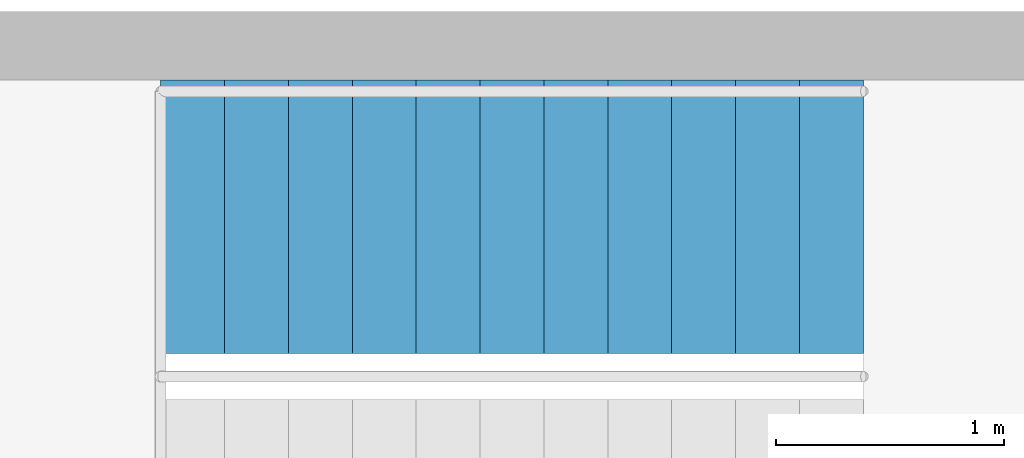
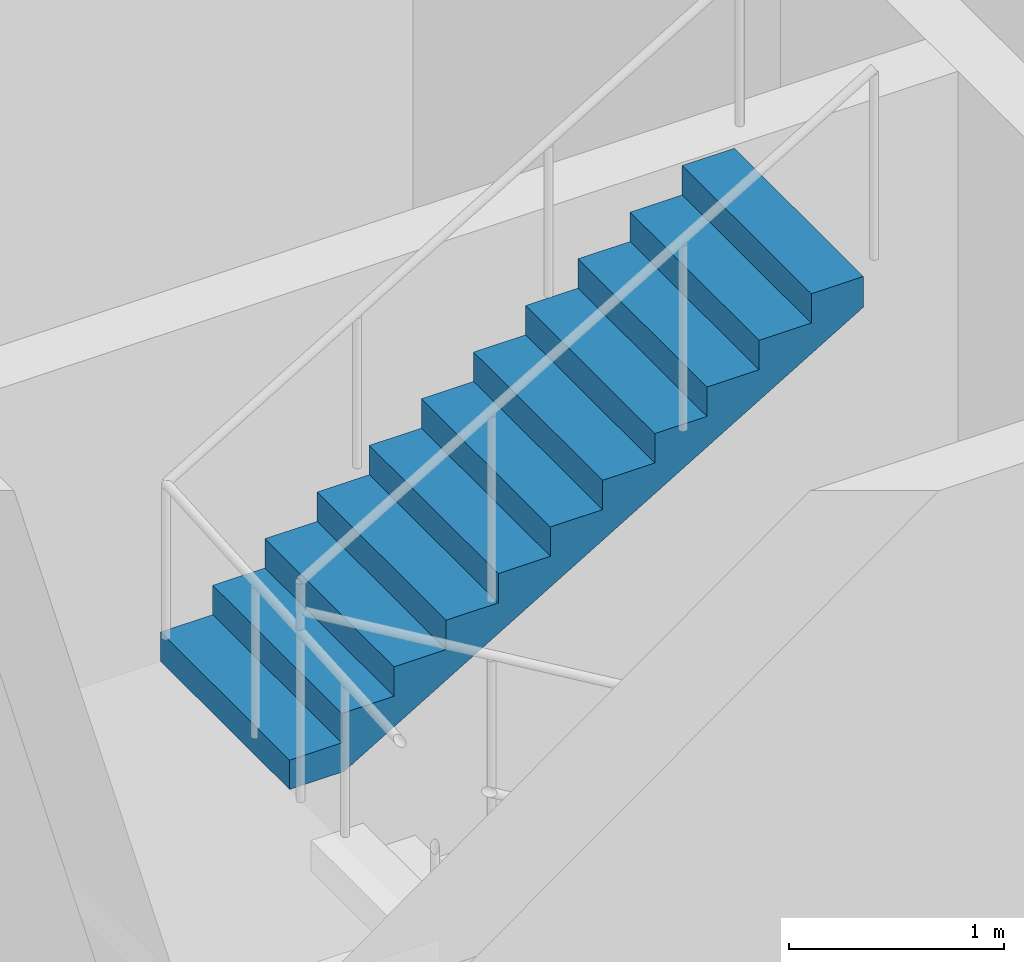
# One storey, part 6 of 13: 1 stair flight, 1 element without a shape of its own.
"""IFC4 building model written with IfcOpenShell, lengths in metres."""

from ifc_helpers import new_model, si_unit, direction, frame, origin, place, context, subcontext, project, spatial, polyline, outline, extrude, material, type_object, element, aggregate, save


model = new_model("IFC4")

# Units and contexts
model_context = context("Model", 3, precision=1e-05, world=origin(), true_north=direction((0.0, 1.0)))
body_context = subcontext(model_context, "Body", "Model", "MODEL_VIEW")
ifc_project = project(units=[si_unit("LENGTHUNIT", "METRE"), si_unit("AREAUNIT", "SQUARE_METRE"), si_unit("VOLUMEUNIT", "CUBIC_METRE"), si_unit("PLANEANGLEUNIT", "RADIAN"), si_unit("MASSUNIT", "GRAM", prefix="KILO")], contexts=[model_context])

# Site, building, storey
site_placement = place(None, origin())
site = spatial("IfcSite", under=ifc_project, at=site_placement, CompositionType="ELEMENT")
building_placement = place(site_placement, origin())
building = spatial("IfcBuilding", under=site, at=building_placement, Name="Entoto Ring Tower", CompositionType="ELEMENT")
storey_placement = place(building_placement, frame((0.0, 0.0, 168.0)))
storey = spatial("IfcBuildingStorey", under=building, at=storey_placement, Name="L38", CompositionType="ELEMENT", Elevation=168.0)

# Stair, stair flight
ifc_material_1 = material(Name="Concrete C40/50", Category="concrete")
stair_type = type_object("IfcStairType", Name="Exit stair 1200 mm dog-leg reinforced concrete", PredefinedType="HALF_TURN_STAIR", material=ifc_material_1)
stair_placement = place(storey_placement, origin())
stair = element("IfcStair", 1, at=stair_placement, inside=storey, type_object=stair_type, Name="Exit stair 1", PredefinedType="HALF_TURN_STAIR")
ifc_material_2 = material(Name="Concrete C40/50", Category="concrete")
stair_flight_type = type_object("IfcStairFlightType", Name="Stair flight 1200 mm reinforced concrete", PredefinedType="STRAIGHT", material=ifc_material_2)
stair_flight_placement = place(storey_placement, frame((96.169921875, 86.949951171875, 2.0), z_axis=(0.0, 0.0, 1.0), x_axis=(1.0, 0.0, 0.0)))
stair_flight = element("IfcStairFlight", 2, at=stair_flight_placement, type_object=stair_flight_type, Name="ST1 flight 2", NumberOfRisers=12, NumberOfTreads=11, PredefinedType="STRAIGHT", RiserHeight=0.166666667, TreadLength=0.28, context=body_context, shape_type="SweptSolid", body=[
    extrude(outline(polyline([(0.0, 0.0), (0.0, 0.166748046875), (0.280029296875, 0.166748046875), (0.280029296875, 0.333251953125), (0.56005859375, 0.333251953125), (0.56005859375, 0.5), (0.840087890625, 0.5), (0.840087890625, 0.666748046875), (1.1201171875, 0.666748046875), (1.1201171875, 0.833251953125), (1.39990234375, 0.833251953125), (1.39990234375, 1.0), (1.679931640625, 1.0), (1.679931640625, 1.166748046875), (1.9599609375, 1.166748046875), (1.9599609375, 1.333251953125), (2.239990234375, 1.333251953125), (2.239990234375, 1.5), (2.52001953125, 1.5), (2.52001953125, 1.666748046875), (2.800048828125, 1.666748046875), (2.800048828125, 1.833251953125), (3.080078125, 1.833251953125), (3.080078125, 2.0), (3.080078125, 1.658935546875), (0.29296875, 0.0), (0.0, 0.0)])), frame((0.0, 0.60009765625, 0.0), z_axis=(0.0, -1.0, 0.0), x_axis=(1.0, 0.0, 0.0)), (0.0, 0.0, 1.0), 1.199951171875),
])
aggregate(stair, [stair_flight])

save(model, "model.ifc")
